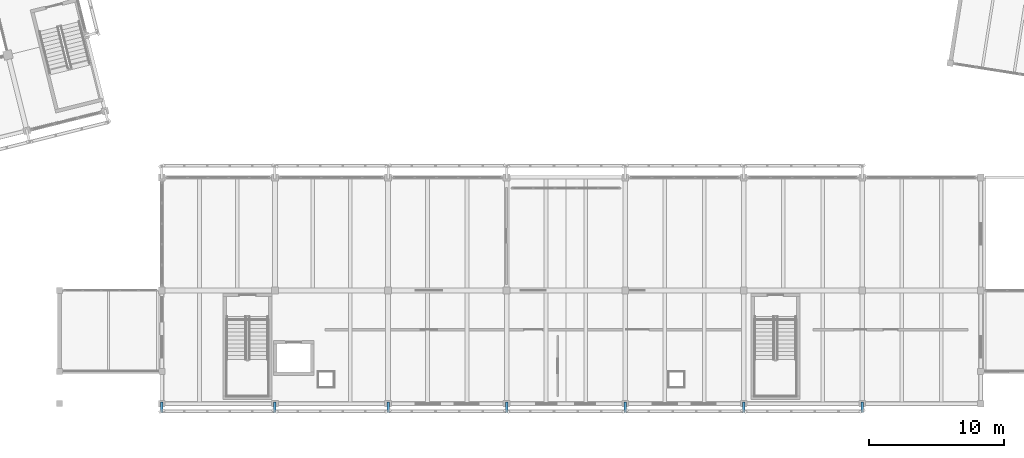
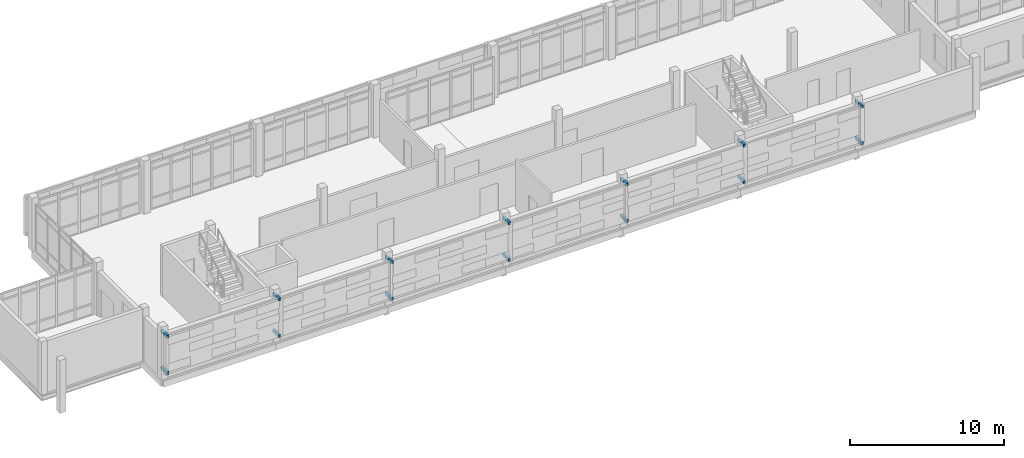
# One storey, part 119 of 137: 14 discrete accessories.
"""IFC4 building model written with IfcOpenShell, lengths in metres."""

from ifc_helpers import new_model, si_unit, direction, frame, origin, origin_2d, place, context, subcontext, project, spatial, rectangle, extrude, material, type_object, element, save


model = new_model("IFC4")

# Units and contexts
model_context = context("Model", 3, precision=1e-05, world=origin(), true_north=direction((0.0, 1.0)))
body_context = subcontext(model_context, "Body", "Model", "MODEL_VIEW")
ifc_project = project(units=[si_unit("LENGTHUNIT", "METRE"), si_unit("AREAUNIT", "SQUARE_METRE"), si_unit("VOLUMEUNIT", "CUBIC_METRE"), si_unit("PLANEANGLEUNIT", "RADIAN"), si_unit("MASSUNIT", "GRAM", prefix="KILO")], contexts=[model_context])

# Site, building, storey
site_placement = place(None, origin())
site = spatial("IfcSite", under=ifc_project, at=site_placement, CompositionType="ELEMENT")
building_placement = place(site_placement, origin())
building = spatial("IfcBuilding", under=site, at=building_placement, Name="Cinderway Yard Community Centre", CompositionType="ELEMENT")
storey_placement = place(building_placement, frame((0.0, 0.0, 4.800048828125)))
storey = spatial("IfcBuildingStorey", under=building, at=storey_placement, Name="L01", CompositionType="ELEMENT", Elevation=4.800048828125)

# Discrete accessories
ifc_material = material(Name="Steel S355", Category="steel")
discrete_accessory_type = type_object("IfcDiscreteAccessoryType", Name="ENV-ACC-BRACKET", PredefinedType="BRACKET", material=ifc_material)
for number, where, z_axis, x_axis, name in (
    (1, (58.39990234375, 5.72509765625, 0.6201171875), (0.0, 0.0, 1.0), (0.0, -1.0, 0.0), "Screen outrigger bracket 0299"),
    (2, (58.39990234375, 5.72509765625, 3.509765625), (0.0, 0.0, 1.0), (0.0, -1.0, 0.0), "Screen outrigger bracket 0300"),
    (3, (66.800048828125, 5.72509765625, 0.6201171875), (0.0, 0.0, 1.0), (0.0, -1.0, 0.0), "Screen outrigger bracket 0303"),
    (4, (66.800048828125, 5.72509765625, 3.509765625), (0.0, 0.0, 1.0), (0.0, -1.0, 0.0), "Screen outrigger bracket 0304"),
    (5, (75.199951171875, 5.72509765625, 0.6201171875), (0.0, 0.0, 1.0), (0.0, -1.0, 0.0), "Screen outrigger bracket 0307"),
    (6, (75.199951171875, 5.72509765625, 3.509765625), (0.0, 0.0, 1.0), (0.0, -1.0, 0.0), "Screen outrigger bracket 0308"),
    (7, (84.0, 5.72509765625, 0.6201171875), (0.0, 0.0, 1.0), (0.0, -1.0, 0.0), "Screen outrigger bracket 0311"),
    (8, (84.0, 5.72509765625, 3.509765625), (0.0, 0.0, 1.0), (0.0, -1.0, 0.0), "Screen outrigger bracket 0312"),
    (9, (92.800048828125, 5.72509765625, 0.6201171875), (0.0, 0.0, 1.0), (0.0, -1.0, 0.0), "Screen outrigger bracket 0315"),
    (10, (92.800048828125, 5.72509765625, 3.509765625), (0.0, 0.0, 1.0), (0.0, -1.0, 0.0), "Screen outrigger bracket 0316"),
    (11, (101.60009765625, 5.72509765625, 0.6201171875), (0.0, 0.0, 1.0), (0.0, -1.0, 0.0), "Screen outrigger bracket 0319"),
    (12, (101.60009765625, 5.72509765625, 3.509765625), (0.0, 0.0, 1.0), (0.0, -1.0, 0.0), "Screen outrigger bracket 0320"),
    (13, (110.39990234375, 5.72509765625, 0.6201171875), (0.0, 0.0, 1.0), (0.0, -1.0, 0.0), "Screen outrigger bracket 0323"),
    (14, (110.39990234375, 5.72509765625, 3.509765625), (0.0, 0.0, 1.0), (0.0, -1.0, 0.0), "Screen outrigger bracket 0324"),
):
    element("IfcDiscreteAccessory", number, at=place(storey_placement, frame(where, z_axis=z_axis, x_axis=x_axis)), inside=storey, type_object=discrete_accessory_type, Name=name, PredefinedType="BRACKET", context=body_context, shape_type="SweptSolid", body=[
        extrude(rectangle(XDim=0.7900390625, YDim=0.179931640625, at=origin_2d()), origin(), (0.0, 0.0, 1.0), 0.219970703125),
    ])

save(model, "model.ifc")
